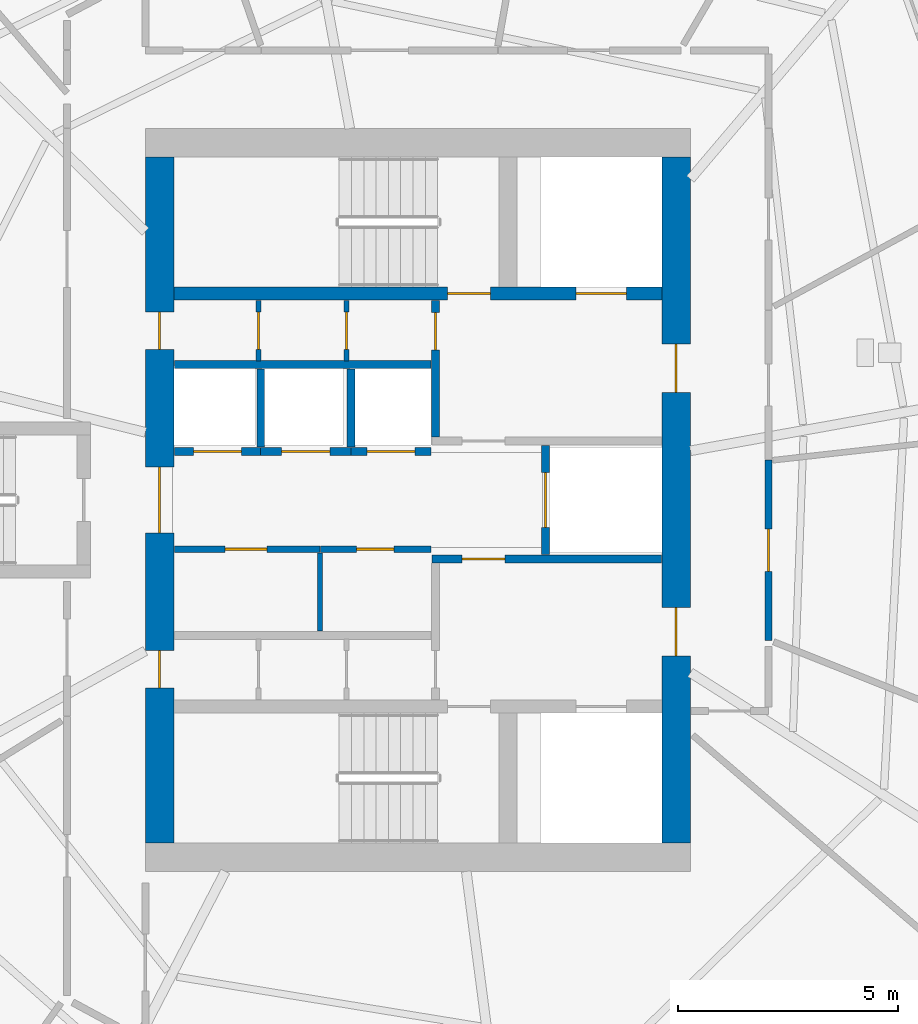
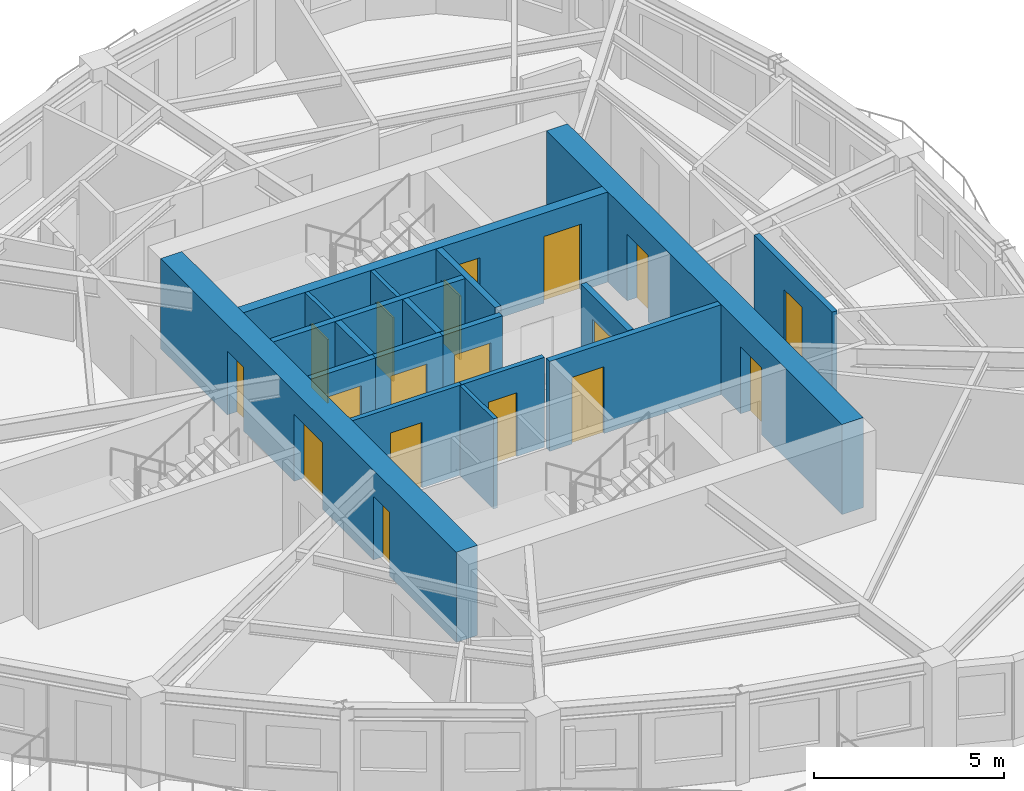
# One storey, part 5 of 12: 18 doors, 18 walls, 18 openings.
"""IFC4 building model written with IfcOpenShell, lengths in metres."""

from ifc_helpers import new_model, si_unit, direction, frame, frame_2d, origin, place, context, subcontext, project, spatial, rectangle, extrude, source, transform, mapped, material, layer, layer_set, type_object, element, fill, save


model = new_model("IFC4")

# Units and contexts
model_context = context("Model", 3, precision=1e-05, world=origin(), true_north=direction((0.0, 1.0)))
body_context = subcontext(model_context, "Body", "Model", "MODEL_VIEW")
ifc_project = project(units=[si_unit("LENGTHUNIT", "METRE"), si_unit("AREAUNIT", "SQUARE_METRE"), si_unit("VOLUMEUNIT", "CUBIC_METRE"), si_unit("PLANEANGLEUNIT", "RADIAN"), si_unit("MASSUNIT", "GRAM", prefix="KILO")], contexts=[model_context])

# Site, building, storey
site_placement = place(None, origin())
site = spatial("IfcSite", under=ifc_project, at=site_placement, CompositionType="ELEMENT")
building_placement = place(site_placement, origin())
building = spatial("IfcBuilding", under=site, at=building_placement, Name="Qafzar Sky-Pleat Residences", CompositionType="ELEMENT")
storey_placement = place(building_placement, frame((0.0, 0.0, 187.39990234375)))
storey = spatial("IfcBuildingStorey", under=building, at=storey_placement, Name="L56", CompositionType="ELEMENT", Elevation=187.39990234375)

# Wall, opening, door
ifc_material_1 = material(Name="Acoustic gypsum plasterboard partition", Category="gypsum")
ifc_layer_1 = layer(ifc_material_1, 0.159912109375)
ifc_layer_set_1 = layer_set([ifc_layer_1], Name="Acoustic gypsum plasterboard partition")
wall_type_1 = type_object("IfcWallType", Name="PART-COR-160", PredefinedType="PARTITIONING", material=ifc_layer_set_1)
wall_1_placement = place(storey_placement, frame((38.330078125, 26.908935546875, 0.0), z_axis=(0.0, 0.0, 1.0), x_axis=(0.0, -1.0, 0.0)))
wall_1 = element("IfcWall", 1, at=wall_1_placement, inside=storey, type_object=wall_type_1, Name="L56 Partition Wall PART-L56-PW-006", PredefinedType="PARTITIONING", context=body_context, shape_type="SweptSolid", body=[
    extrude(rectangle(XDim=4.10498046875, YDim=0.159912109375, at=frame_2d((2.052490234375, 0.0))), origin(), (0.0, 0.0, 1.0), 2.900146484375),
])
opening_1_placement = place(wall_1_placement, frame((1.572021484375, 0.0, 0.0)))
opening_1 = element("IfcOpeningElement", 2, at=opening_1_placement, cuts=wall_1, Name="Opening ID-06", PredefinedType="OPENING", context=body_context, shape_type="SweptSolid", body=[
    extrude(rectangle(XDim=0.9599609375, YDim=2.10009765625, at=frame_2d((0.47998046875, 1.050048828125))), frame((0.0, 0.08984375, 0.0), z_axis=(0.0, -1.0, 0.0), x_axis=(1.0, 0.0, 0.0)), (0.0, 0.0, 1.0), 0.179931640625),
])
ifc_material_2 = material(Name="Timber-faced fire door", Category="wood")
door_type_1 = type_object("IfcDoorType", Name="DR-STD-960", OperationType="NOTDEFINED", PredefinedType="DOOR", material=ifc_material_2)
shared_shape_1 = source(origin(), body_context, "Body", "SweptSolid", [
    extrude(rectangle(XDim=0.9599609375, YDim=2.10009765625, at=frame_2d((0.47998046875, 1.050048828125))), frame((0.0, 0.02490234375, 0.0), z_axis=(0.0, -1.0, 0.0), x_axis=(1.0, 0.0, 0.0)), (0.0, 0.0, 1.0), 0.050048828125),
])
door_1_placement = place(opening_1_placement, origin())
door_1 = element("IfcDoor", 3, at=door_1_placement, inside=storey, type_object=door_type_1, Name="L56 Postdoctoral Admin Office Door", OperationType="SINGLE_SWING_LEFT", OverallHeight=2.10009765625, OverallWidth=0.9599609375, PredefinedType="DOOR", context=body_context, shape_type="MappedRepresentation", body=[
    mapped(shared_shape_1, transform((0.0, 0.0, 0.0), x_axis=(1.0, 0.0, 0.0), y_axis=(0.0, 1.0, 0.0), z_axis=(0.0, 0.0, 1.0), scale=1.0)),
])
fill(opening_1, door_1)

ifc_material_3 = material(Name="Concrete blockwork partition", Category="masonry")
ifc_layer_2 = layer(ifc_material_3, 0.179931640625)
ifc_layer_set_2 = layer_set([ifc_layer_2], Name="Concrete blockwork partition")
wall_type_2 = type_object("IfcWallType", Name="PART-SHAFT-180", PredefinedType="PARTITIONING", material=ifc_layer_set_2)
wall_2_placement = place(storey_placement, frame((30.669921875, 24.659912109375, 0.0), z_axis=(0.0, 0.0, 1.0), x_axis=(1.0, 0.0, 0.0)))
wall_2 = element("IfcWall", 4, at=wall_2_placement, inside=storey, type_object=wall_type_2, Name="L56 Partition Wall PART-L56-FFL1-N", PredefinedType="PARTITIONING", context=body_context, shape_type="SweptSolid", body=[
    extrude(rectangle(XDim=5.219970703125, YDim=0.179931640625, at=frame_2d((2.60986328125, 0.0))), origin(), (0.0, 0.0, 1.0), 2.900146484375),
])
opening_2_placement = place(wall_2_placement, frame((0.679931640625, 0.0, 0.0)))
opening_2 = element("IfcOpeningElement", 5, at=opening_2_placement, cuts=wall_2, Name="Opening ID-01", PredefinedType="OPENING", context=body_context, shape_type="SweptSolid", body=[
    extrude(rectangle(XDim=0.97998046875, YDim=2.14990234375, at=frame_2d((0.489990234375, 1.074951171875))), frame((0.0, 0.10009765625, 0.0), z_axis=(0.0, -1.0, 0.0), x_axis=(1.0, 0.0, 0.0)), (0.0, 0.0, 1.0), 0.199951171875),
])
door_type_2 = type_object("IfcDoorType", Name="DR-STAIR-980", OperationType="NOTDEFINED", PredefinedType="DOOR", material=ifc_material_2)
shared_shape_2 = source(origin(), body_context, "Body", "SweptSolid", [
    extrude(rectangle(XDim=0.97998046875, YDim=2.14990234375, at=frame_2d((0.489990234375, 1.074951171875))), frame((0.0, 0.02490234375, 0.0), z_axis=(0.0, -1.0, 0.0), x_axis=(1.0, 0.0, 0.0)), (0.0, 0.0, 1.0), 0.050048828125),
])
door_2_placement = place(opening_2_placement, origin())
door_2 = element("IfcDoor", 6, at=door_2_placement, inside=storey, type_object=door_type_2, Name="L56 Lift Lobby to South Firefighting Lobby Door", OperationType="SINGLE_SWING_LEFT", OverallHeight=2.14990234375, OverallWidth=0.97998046875, PredefinedType="DOOR", context=body_context, shape_type="MappedRepresentation", body=[
    mapped(shared_shape_2, transform((0.0, 0.0, 0.0), x_axis=(1.0, 0.0, 0.0), y_axis=(0.0, 1.0, 0.0), z_axis=(0.0, 0.0, 1.0), scale=1.0)),
])
fill(opening_2, door_2)

wall_3_placement = place(storey_placement, frame((30.75, 27.429931640625, 0.0), z_axis=(0.0, 0.0, 1.0), x_axis=(0.0, 1.0, 0.0)))
wall_3 = element("IfcWall", 7, at=wall_3_placement, inside=storey, type_object=wall_type_2, Name="L56 Partition Wall PART-L56-FFL2-W", PredefinedType="PARTITIONING", context=body_context, shape_type="SweptSolid", body=[
    extrude(rectangle(XDim=3.110107421875, YDim=0.179931640625, at=frame_2d((1.55517578125, 0.0))), origin(), (0.0, 0.0, 1.0), 2.900146484375),
])
opening_3_placement = place(wall_3_placement, frame((1.97998046875, 0.0, 0.0)))
opening_3 = element("IfcOpeningElement", 8, at=opening_3_placement, cuts=wall_3, Name="Opening ID-09", PredefinedType="OPENING", context=body_context, shape_type="SweptSolid", body=[
    extrude(rectangle(XDim=0.860107421875, YDim=2.050048828125, at=frame_2d((0.43017578125, 1.02490234375))), frame((0.0, 0.10009765625, 0.0), z_axis=(0.0, -1.0, 0.0), x_axis=(1.0, 0.0, 0.0)), (0.0, 0.0, 1.0), 0.199951171875),
])
door_type_3 = type_object("IfcDoorType", Name="DR-SVC-860", OperationType="NOTDEFINED", PredefinedType="DOOR", material=ifc_material_2)
shared_shape_3 = source(origin(), body_context, "Body", "SweptSolid", [
    extrude(rectangle(XDim=0.860107421875, YDim=2.050048828125, at=frame_2d((0.43017578125, 1.02490234375))), frame((0.0, 0.02490234375, 0.0), z_axis=(0.0, -1.0, 0.0), x_axis=(1.0, 0.0, 0.0)), (0.0, 0.0, 1.0), 0.050048828125),
])
door_3_placement = place(opening_3_placement, origin())
door_3 = element("IfcDoor", 9, at=door_3_placement, inside=storey, type_object=door_type_3, Name="L56 North Core Cupboard Door", OperationType="SINGLE_SWING_RIGHT", OverallHeight=2.050048828125, OverallWidth=0.860107421875, PredefinedType="DOOR", context=body_context, shape_type="MappedRepresentation", body=[
    mapped(shared_shape_3, transform((0.0, 0.0, 0.0), x_axis=(1.0, 0.0, 0.0), y_axis=(0.0, 1.0, 0.0), z_axis=(0.0, 0.0, 1.0), scale=1.0)),
])
fill(opening_3, door_3)

wall_4_placement = place(storey_placement, frame((33.25, 24.760009765625, 0.0), z_axis=(0.0, 0.0, 1.0), x_axis=(0.0, 1.0, 0.0)))
wall_4 = element("IfcWall", 10, at=wall_4_placement, inside=storey, type_object=wall_type_2, Name="L56 Partition Wall PART-L56-SV1-W", PredefinedType="PARTITIONING", context=body_context, shape_type="SweptSolid", body=[
    extrude(rectangle(XDim=2.47998046875, YDim=0.179931640625, at=frame_2d((1.239990234375, 0.0))), origin(), (0.0, 0.0, 1.0), 2.900146484375),
])
opening_4_placement = place(wall_4_placement, frame((0.614990234375, 0.0, 0.0)))
opening_4 = element("IfcOpeningElement", 11, at=opening_4_placement, cuts=wall_4, Name="Opening LD-03", PredefinedType="OPENING", context=body_context, shape_type="SweptSolid", body=[
    extrude(rectangle(XDim=1.25, YDim=2.14990234375, at=frame_2d((0.625, 1.074951171875))), frame((0.0, 0.10009765625, 0.0), z_axis=(0.0, -1.0, 0.0), x_axis=(1.0, 0.0, 0.0)), (0.0, 0.0, 1.0), 0.199951171875),
])
ifc_material_4 = material(Name="Stainless steel sliding landing door", Category="steel")
door_type_4 = type_object("IfcDoorType", Name="DR-LIFT-SV", OperationType="DOUBLE_DOOR_SLIDING", PredefinedType="DOOR", material=ifc_material_4)
shared_shape_4 = source(origin(), body_context, "Body", "SweptSolid", [
    extrude(rectangle(XDim=1.25, YDim=2.14990234375, at=frame_2d((0.625, 1.074951171875))), frame((0.0, 0.02490234375, 0.0), z_axis=(0.0, -1.0, 0.0), x_axis=(1.0, 0.0, 0.0)), (0.0, 0.0, 1.0), 0.050048828125),
])
door_4_placement = place(opening_4_placement, origin())
door_4 = element("IfcDoor", 12, at=door_4_placement, inside=storey, type_object=door_type_4, Name="L56 Service Lift SV1 Landing Door", OperationType="DOUBLE_DOOR_SLIDING", OverallHeight=2.14990234375, OverallWidth=1.25, PredefinedType="DOOR", context=body_context, shape_type="MappedRepresentation", body=[
    mapped(shared_shape_4, transform((0.0, 0.0, 0.0), x_axis=(1.0, 0.0, 0.0), y_axis=(0.0, 1.0, 0.0), z_axis=(0.0, 0.0, 1.0), scale=1.0)),
])
fill(opening_4, door_4)

# Wall
wall_5_placement = place(storey_placement, frame((24.81005859375, 29.080078125, 0.0), z_axis=(0.0, 0.0, 1.0), x_axis=(1.0, 0.0, 0.0)))
element("IfcWall", 13, at=wall_5_placement, inside=storey, type_object=wall_type_2, Name="L56 Partition Wall PART-L56-P46-N", PredefinedType="PARTITIONING", context=body_context, shape_type="SweptSolid", body=[
    extrude(rectangle(XDim=5.83984375, YDim=0.179931640625, at=frame_2d((2.919921875, 0.0))), origin(), (0.0, 0.0, 1.0), 2.900146484375),
])

# Wall, opening, door
wall_6_placement = place(storey_placement, frame((24.81005859375, 27.10009765625, 0.0), z_axis=(0.0, 0.0, 1.0), x_axis=(1.0, 0.0, 0.0)))
wall_6 = element("IfcWall", 14, at=wall_6_placement, inside=storey, type_object=wall_type_2, Name="L56 Partition Wall PART-L56-P4-S", PredefinedType="PARTITIONING", context=body_context, shape_type="SweptSolid", body=[
    extrude(rectangle(XDim=1.96484375, YDim=0.179931640625, at=frame_2d((0.982421875, 0.0))), origin(), (0.0, 0.0, 1.0), 2.900146484375),
])
opening_5_placement = place(wall_6_placement, frame((0.4326171875, 0.0, 0.0)))
opening_5 = element("IfcOpeningElement", 15, at=opening_5_placement, cuts=wall_6, Name="Opening LD-01", PredefinedType="OPENING", context=body_context, shape_type="SweptSolid", body=[
    extrude(rectangle(XDim=1.10009765625, YDim=2.14990234375, at=frame_2d((0.550048828125, 1.074951171875))), frame((0.0, 0.10009765625, 0.0), z_axis=(0.0, -1.0, 0.0), x_axis=(1.0, 0.0, 0.0)), (0.0, 0.0, 1.0), 0.199951171875),
])
door_type_5 = type_object("IfcDoorType", Name="DR-LIFT-P", OperationType="DOUBLE_DOOR_SLIDING", PredefinedType="DOOR", material=ifc_material_4)
shared_shape_5 = source(origin(), body_context, "Body", "SweptSolid", [
    extrude(rectangle(XDim=1.10009765625, YDim=2.14990234375, at=frame_2d((0.550048828125, 1.074951171875))), frame((0.0, 0.02490234375, 0.0), z_axis=(0.0, -1.0, 0.0), x_axis=(1.0, 0.0, 0.0)), (0.0, 0.0, 1.0), 0.050048828125),
])
door_5_placement = place(opening_5_placement, origin())
door_5 = element("IfcDoor", 16, at=door_5_placement, inside=storey, type_object=door_type_5, Name="L56 Passenger Lift P4 Landing Door", OperationType="DOUBLE_DOOR_SLIDING", OverallHeight=2.14990234375, OverallWidth=1.10009765625, PredefinedType="DOOR", context=body_context, shape_type="MappedRepresentation", body=[
    mapped(shared_shape_5, transform((0.0, 0.0, 0.0), x_axis=(1.0, 0.0, 0.0), y_axis=(0.0, 1.0, 0.0), z_axis=(0.0, 0.0, 1.0), scale=1.0)),
])
fill(opening_5, door_5)

wall_7_placement = place(storey_placement, frame((26.77490234375, 27.10009765625, 0.0), z_axis=(0.0, 0.0, 1.0), x_axis=(1.0, 0.0, 0.0)))
wall_7 = element("IfcWall", 17, at=wall_7_placement, inside=storey, type_object=wall_type_2, Name="L56 Partition Wall PART-L56-P5-S", PredefinedType="PARTITIONING", context=body_context, shape_type="SweptSolid", body=[
    extrude(rectangle(XDim=2.050048828125, YDim=0.179931640625, at=frame_2d((1.02490234375, 0.0))), origin(), (0.0, 0.0, 1.0), 2.900146484375),
])
opening_6_placement = place(wall_7_placement, frame((0.47509765625, 0.0, 0.0)))
opening_6 = element("IfcOpeningElement", 18, at=opening_6_placement, cuts=wall_7, Name="Opening LD-01", PredefinedType="OPENING", context=body_context, shape_type="SweptSolid", body=[
    extrude(rectangle(XDim=1.10009765625, YDim=2.14990234375, at=frame_2d((0.550048828125, 1.074951171875))), frame((0.0, 0.10009765625, 0.0), z_axis=(0.0, -1.0, 0.0), x_axis=(1.0, 0.0, 0.0)), (0.0, 0.0, 1.0), 0.199951171875),
])
door_6_placement = place(opening_6_placement, origin())
door_6 = element("IfcDoor", 19, at=door_6_placement, inside=storey, type_object=door_type_5, Name="L56 Passenger Lift P5 Landing Door", OperationType="DOUBLE_DOOR_SLIDING", OverallHeight=2.14990234375, OverallWidth=1.10009765625, PredefinedType="DOOR", context=body_context, shape_type="MappedRepresentation", body=[
    mapped(shared_shape_5, transform((0.0, 0.0, 0.0), x_axis=(1.0, 0.0, 0.0), y_axis=(0.0, 1.0, 0.0), z_axis=(0.0, 0.0, 1.0), scale=1.0)),
])
fill(opening_6, door_6)

# Wall
wall_8_placement = place(storey_placement, frame((26.77490234375, 27.199951171875, 0.0), z_axis=(0.0, 0.0, 1.0), x_axis=(0.0, 1.0, 0.0)))
element("IfcWall", 20, at=wall_8_placement, inside=storey, type_object=wall_type_2, Name="L56 Partition Wall PART-L56-P46-DIV-1", PredefinedType="PARTITIONING", context=body_context, shape_type="SweptSolid", body=[
    extrude(rectangle(XDim=1.780029296875, YDim=0.179931640625, at=frame_2d((0.89013671875, 0.0))), origin(), (0.0, 0.0, 1.0), 2.900146484375),
])

# Wall, opening, door
wall_9_placement = place(storey_placement, frame((28.824951171875, 27.10009765625, 0.0), z_axis=(0.0, 0.0, 1.0), x_axis=(1.0, 0.0, 0.0)))
wall_9 = element("IfcWall", 21, at=wall_9_placement, inside=storey, type_object=wall_type_2, Name="L56 Partition Wall PART-L56-P6-S", PredefinedType="PARTITIONING", context=body_context, shape_type="SweptSolid", body=[
    extrude(rectangle(XDim=1.824951171875, YDim=0.179931640625, at=frame_2d((0.91259765625, 0.0))), origin(), (0.0, 0.0, 1.0), 2.900146484375),
])
opening_7_placement = place(wall_9_placement, frame((0.362548828125, 0.0, 0.0)))
opening_7 = element("IfcOpeningElement", 22, at=opening_7_placement, cuts=wall_9, Name="Opening LD-01", PredefinedType="OPENING", context=body_context, shape_type="SweptSolid", body=[
    extrude(rectangle(XDim=1.10009765625, YDim=2.14990234375, at=frame_2d((0.550048828125, 1.074951171875))), frame((0.0, 0.10009765625, 0.0), z_axis=(0.0, -1.0, 0.0), x_axis=(1.0, 0.0, 0.0)), (0.0, 0.0, 1.0), 0.199951171875),
])
door_7_placement = place(opening_7_placement, origin())
door_7 = element("IfcDoor", 23, at=door_7_placement, inside=storey, type_object=door_type_5, Name="L56 Passenger Lift P6 Landing Door", OperationType="DOUBLE_DOOR_SLIDING", OverallHeight=2.14990234375, OverallWidth=1.10009765625, PredefinedType="DOOR", context=body_context, shape_type="MappedRepresentation", body=[
    mapped(shared_shape_5, transform((0.0, 0.0, 0.0), x_axis=(1.0, 0.0, 0.0), y_axis=(0.0, 1.0, 0.0), z_axis=(0.0, 0.0, 1.0), scale=1.0)),
])
fill(opening_7, door_7)

# Walls
wall_10_placement = place(storey_placement, frame((28.824951171875, 27.199951171875, 0.0), z_axis=(0.0, 0.0, 1.0), x_axis=(0.0, 1.0, 0.0)))
element("IfcWall", 24, at=wall_10_placement, inside=storey, type_object=wall_type_2, Name="L56 Partition Wall PART-L56-P46-DIV-2", PredefinedType="PARTITIONING", context=body_context, shape_type="SweptSolid", body=[
    extrude(rectangle(XDim=1.780029296875, YDim=0.179931640625, at=frame_2d((0.89013671875, 0.0))), origin(), (0.0, 0.0, 1.0), 2.900146484375),
])
ifc_material_5 = material(Name="Gypsum plasterboard partition", Category="gypsum")
ifc_layer_3 = layer(ifc_material_5, 0.114990234375)
ifc_layer_set_3 = layer_set([ifc_layer_3], Name="Gypsum plasterboard partition")
wall_type_3 = type_object("IfcWallType", Name="PART-SVC-115", PredefinedType="PARTITIONING", material=ifc_layer_set_3)
wall_11_placement = place(storey_placement, frame((28.125, 23.02001953125, 0.0), z_axis=(0.0, 0.0, 1.0), x_axis=(0.0, 1.0, 0.0)))
element("IfcWall", 25, at=wall_11_placement, inside=storey, type_object=wall_type_3, Name="L56 Partition Wall PART-L56-RECLAIM-DIV", PredefinedType="PARTITIONING", context=body_context, shape_type="SweptSolid", body=[
    extrude(rectangle(XDim=1.77001953125, YDim=0.114990234375, at=frame_2d((0.885009765625, 0.0))), origin(), (0.0, 0.0, 1.0), 2.900146484375),
])

# Wall, opening, door
wall_12_placement = place(storey_placement, frame((26.72509765625, 29.159912109375, 0.0), z_axis=(0.0, 0.0, 1.0), x_axis=(0.0, 1.0, 0.0)))
wall_12 = element("IfcWall", 26, at=wall_12_placement, inside=storey, type_object=wall_type_3, Name="L56 Partition Wall PART-L56-KC-NW-1", PredefinedType="PARTITIONING", context=body_context, shape_type="SweptSolid", body=[
    extrude(rectangle(XDim=1.380126953125, YDim=0.114990234375, at=frame_2d((0.68994140625, 0.0))), origin(), (0.0, 0.0, 1.0), 2.900146484375),
])
opening_8_placement = place(wall_12_placement, frame((0.260009765625, 0.0, 0.0)))
opening_8 = element("IfcOpeningElement", 27, at=opening_8_placement, cuts=wall_12, Name="Opening ID-09", PredefinedType="OPENING", context=body_context, shape_type="SweptSolid", body=[
    extrude(rectangle(XDim=0.860107421875, YDim=2.050048828125, at=frame_2d((0.43017578125, 1.02490234375))), frame((0.0, 0.0673828125, 0.0), z_axis=(0.0, -1.0, 0.0), x_axis=(1.0, 0.0, 0.0)), (0.0, 0.0, 1.0), 0.135009765625),
])
door_8_placement = place(opening_8_placement, origin())
door_8 = element("IfcDoor", 28, at=door_8_placement, inside=storey, type_object=door_type_3, Name="L56 Core North Cupboard 1 Door", OperationType="SINGLE_SWING_LEFT", OverallHeight=2.050048828125, OverallWidth=0.860107421875, PredefinedType="DOOR", context=body_context, shape_type="MappedRepresentation", body=[
    mapped(shared_shape_3, transform((0.0, 0.0, 0.0), x_axis=(1.0, 0.0, 0.0), y_axis=(0.0, 1.0, 0.0), z_axis=(0.0, 0.0, 1.0), scale=1.0)),
])
fill(opening_8, door_8)

wall_13_placement = place(storey_placement, frame((28.72509765625, 29.159912109375, 0.0), z_axis=(0.0, 0.0, 1.0), x_axis=(0.0, 1.0, 0.0)))
wall_13 = element("IfcWall", 29, at=wall_13_placement, inside=storey, type_object=wall_type_3, Name="L56 Partition Wall PART-L56-KC-NW-2", PredefinedType="PARTITIONING", context=body_context, shape_type="SweptSolid", body=[
    extrude(rectangle(XDim=1.380126953125, YDim=0.114990234375, at=frame_2d((0.68994140625, 0.0))), origin(), (0.0, 0.0, 1.0), 2.900146484375),
])
opening_9_placement = place(wall_13_placement, frame((0.260009765625, 0.0, 0.0)))
opening_9 = element("IfcOpeningElement", 30, at=opening_9_placement, cuts=wall_13, Name="Opening ID-09", PredefinedType="OPENING", context=body_context, shape_type="SweptSolid", body=[
    extrude(rectangle(XDim=0.860107421875, YDim=2.050048828125, at=frame_2d((0.43017578125, 1.02490234375))), frame((0.0, 0.0673828125, 0.0), z_axis=(0.0, -1.0, 0.0), x_axis=(1.0, 0.0, 0.0)), (0.0, 0.0, 1.0), 0.135009765625),
])
door_9_placement = place(opening_9_placement, origin())
door_9 = element("IfcDoor", 31, at=door_9_placement, inside=storey, type_object=door_type_3, Name="L56 Core North Cupboard 2 Door", OperationType="SINGLE_SWING_LEFT", OverallHeight=2.050048828125, OverallWidth=0.860107421875, PredefinedType="DOOR", context=body_context, shape_type="MappedRepresentation", body=[
    mapped(shared_shape_3, transform((0.0, 0.0, 0.0), x_axis=(1.0, 0.0, 0.0), y_axis=(0.0, 1.0, 0.0), z_axis=(0.0, 0.0, 1.0), scale=1.0)),
])
fill(opening_9, door_9)

ifc_layer_4 = layer(ifc_material_1, 0.14501953125)
ifc_layer_set_4 = layer_set([ifc_layer_4], Name="Acoustic gypsum plasterboard partition")
wall_type_4 = type_object("IfcWallType", Name="PART-UNIT-145", PredefinedType="PARTITIONING", material=ifc_layer_set_4)
wall_14_placement = place(storey_placement, frame((24.81005859375, 24.8798828125, 0.0), z_axis=(0.0, 0.0, 1.0), x_axis=(1.0, 0.0, 0.0)))
wall_14 = element("IfcWall", 32, at=wall_14_placement, inside=storey, type_object=wall_type_4, Name="L56 Partition Wall PART-L56-RECLAIM-N1", PredefinedType="PARTITIONING", context=body_context, shape_type="SweptSolid", body=[
    extrude(rectangle(XDim=3.31005859375, YDim=0.14501953125, at=frame_2d((1.655029296875, 0.0))), origin(), (0.0, 0.0, 1.0), 2.900146484375),
])
opening_10_placement = place(wall_14_placement, frame((1.14990234375, 0.0, 0.0)))
opening_10 = element("IfcOpeningElement", 33, at=opening_10_placement, cuts=wall_14, Name="Opening ID-06", PredefinedType="OPENING", context=body_context, shape_type="SweptSolid", body=[
    extrude(rectangle(XDim=0.9599609375, YDim=2.10009765625, at=frame_2d((0.47998046875, 1.050048828125))), frame((0.0, 0.08251953125, 0.0), z_axis=(0.0, -1.0, 0.0), x_axis=(1.0, 0.0, 0.0)), (0.0, 0.0, 1.0), 0.1650390625),
])
door_10_placement = place(opening_10_placement, origin())
door_10 = element("IfcDoor", 34, at=door_10_placement, inside=storey, type_object=door_type_1, Name="L56 Reclaimed Quiet Study Room Door", OperationType="SINGLE_SWING_RIGHT", OverallHeight=2.10009765625, OverallWidth=0.9599609375, PredefinedType="DOOR", context=body_context, shape_type="MappedRepresentation", body=[
    mapped(shared_shape_1, transform((0.0, 0.0, 0.0), x_axis=(1.0, 0.0, 0.0), y_axis=(0.0, 1.0, 0.0), z_axis=(0.0, 0.0, 1.0), scale=1.0)),
])
fill(opening_10, door_10)

wall_15_placement = place(storey_placement, frame((28.1298828125, 24.8798828125, 0.0), z_axis=(0.0, 0.0, 1.0), x_axis=(1.0, 0.0, 0.0)))
wall_15 = element("IfcWall", 35, at=wall_15_placement, inside=storey, type_object=wall_type_4, Name="L56 Partition Wall PART-L56-RECLAIM-N2", PredefinedType="PARTITIONING", context=body_context, shape_type="SweptSolid", body=[
    extrude(rectangle(XDim=2.52001953125, YDim=0.14501953125, at=frame_2d((1.260009765625, 0.0))), origin(), (0.0, 0.0, 1.0), 2.900146484375),
])
opening_11_placement = place(wall_15_placement, frame((0.820068359375, 0.0, 0.0)))
opening_11 = element("IfcOpeningElement", 36, at=opening_11_placement, cuts=wall_15, Name="Opening ID-09", PredefinedType="OPENING", context=body_context, shape_type="SweptSolid", body=[
    extrude(rectangle(XDim=0.860107421875, YDim=2.050048828125, at=frame_2d((0.43017578125, 1.02490234375))), frame((0.0, 0.08251953125, 0.0), z_axis=(0.0, -1.0, 0.0), x_axis=(1.0, 0.0, 0.0)), (0.0, 0.0, 1.0), 0.1650390625),
])
door_11_placement = place(opening_11_placement, origin())
door_11 = element("IfcDoor", 37, at=door_11_placement, inside=storey, type_object=door_type_3, Name="L56 Reclaimed Linen Cupboard Door", OperationType="SINGLE_SWING_LEFT", OverallHeight=2.050048828125, OverallWidth=0.860107421875, PredefinedType="DOOR", context=body_context, shape_type="MappedRepresentation", body=[
    mapped(shared_shape_3, transform((0.0, 0.0, 0.0), x_axis=(1.0, 0.0, 0.0), y_axis=(0.0, 1.0, 0.0), z_axis=(0.0, 0.0, 1.0), scale=1.0)),
])
fill(opening_11, door_11)

# Wall, openings, doors
ifc_material_6 = material(Name="Concrete C60/75", Category="concrete")
ifc_layer_5 = layer(ifc_material_6, 0.300048828125)
ifc_layer_set_5 = layer_set([ifc_layer_5], Name="Concrete C60/75")
wall_type_5 = type_object("IfcWallType", Name="WALL-SHEAR-300", PredefinedType="SHEAR", material=ifc_layer_set_5)
wall_16_placement = place(storey_placement, frame((24.800048828125, 30.699951171875, 0.0), z_axis=(0.0, 0.0, 1.0), x_axis=(1.0, 0.0, 0.0)))
wall_16 = element("IfcWall", 38, at=wall_16_placement, inside=storey, type_object=wall_type_5, Name="L56 Stair ST2 and FF2 Shaft South Wall", PredefinedType="SHEAR", context=body_context, shape_type="SweptSolid", body=[
    extrude(rectangle(XDim=11.099853515625, YDim=0.300048828125, at=frame_2d((5.5498046875, 0.0))), origin(), (0.0, 0.0, 1.0), 2.900146484375),
])
opening_12_placement = place(wall_16_placement, frame((6.219970703125, 0.0, 0.0)))
opening_12 = element("IfcOpeningElement", 39, at=opening_12_placement, cuts=wall_16, Name="Opening ID-01", PredefinedType="OPENING", context=body_context, shape_type="SweptSolid", body=[
    extrude(rectangle(XDim=0.97998046875, YDim=2.14990234375, at=frame_2d((0.489990234375, 1.074951171875))), frame((0.0, 0.16015625, 0.0), z_axis=(0.0, -1.0, 0.0), x_axis=(1.0, 0.0, 0.0)), (0.0, 0.0, 1.0), 0.320068359375),
])
opening_13_placement = place(wall_16_placement, frame((9.14990234375, 0.0, 0.0)))
opening_13 = element("IfcOpeningElement", 40, at=opening_13_placement, cuts=wall_16, Name="Opening LD-02", PredefinedType="OPENING", context=body_context, shape_type="SweptSolid", body=[
    extrude(rectangle(XDim=1.14990234375, YDim=2.14990234375, at=frame_2d((0.574951171875, 1.074951171875))), frame((0.0, 0.16015625, 0.0), z_axis=(0.0, -1.0, 0.0), x_axis=(1.0, 0.0, 0.0)), (0.0, 0.0, 1.0), 0.320068359375),
])
door_12_placement = place(opening_12_placement, origin())
door_12 = element("IfcDoor", 41, at=door_12_placement, inside=storey, type_object=door_type_2, Name="L56 Stair ST2 Fire Door", OperationType="SINGLE_SWING_RIGHT", OverallHeight=2.14990234375, OverallWidth=0.97998046875, PredefinedType="DOOR", context=body_context, shape_type="MappedRepresentation", body=[
    mapped(shared_shape_2, transform((0.0, 0.0, 0.0), x_axis=(1.0, 0.0, 0.0), y_axis=(0.0, 1.0, 0.0), z_axis=(0.0, 0.0, 1.0), scale=1.0)),
])
fill(opening_12, door_12)
door_type_6 = type_object("IfcDoorType", Name="DR-LIFT-FF", OperationType="DOUBLE_DOOR_SLIDING", PredefinedType="DOOR", material=ifc_material_4)
shared_shape_6 = source(origin(), body_context, "Body", "SweptSolid", [
    extrude(rectangle(XDim=1.14990234375, YDim=2.14990234375, at=frame_2d((0.574951171875, 1.074951171875))), frame((0.0, 0.02490234375, 0.0), z_axis=(0.0, -1.0, 0.0), x_axis=(1.0, 0.0, 0.0)), (0.0, 0.0, 1.0), 0.050048828125),
])
door_13_placement = place(opening_13_placement, origin())
door_13 = element("IfcDoor", 42, at=door_13_placement, inside=storey, type_object=door_type_6, Name="L56 Firefighting Lift FF2 Landing Door", OperationType="DOUBLE_DOOR_SLIDING", OverallHeight=2.14990234375, OverallWidth=1.14990234375, PredefinedType="DOOR", context=body_context, shape_type="MappedRepresentation", body=[
    mapped(shared_shape_6, transform((0.0, 0.0, 0.0), x_axis=(1.0, 0.0, 0.0), y_axis=(0.0, 1.0, 0.0), z_axis=(0.0, 0.0, 1.0), scale=1.0)),
])
fill(opening_13, door_13)

ifc_layer_6 = layer(ifc_material_6, 0.64990234375)
ifc_layer_set_6 = layer_set([ifc_layer_6], Name="Concrete C60/75")
wall_type_6 = type_object("IfcWallType", Name="WALL-SHEAR-650", PredefinedType="SHEAR", material=ifc_layer_set_6)
wall_17_placement = place(storey_placement, frame((24.47509765625, 33.800048828125, 0.0), z_axis=(0.0, 0.0, 1.0), x_axis=(0.0, -1.0, 0.0)))
wall_17 = element("IfcWall", 43, at=wall_17_placement, inside=storey, type_object=wall_type_6, Name="L56 CORE wall W", PredefinedType="SHEAR", context=body_context, shape_type="SweptSolid", body=[
    extrude(rectangle(XDim=15.60009765625, YDim=0.64990234375, at=frame_2d((7.800048828125, 0.0))), origin(), (0.0, 0.0, 1.0), 2.900146484375),
])
opening_14_placement = place(wall_17_placement, frame((7.050048828125, 0.0, 0.0)))
opening_14 = element("IfcOpeningElement", 44, at=opening_14_placement, cuts=wall_17, Name="Opening ID-03", PredefinedType="OPENING", context=body_context, shape_type="SweptSolid", body=[
    extrude(rectangle(XDim=1.5, YDim=2.14990234375, at=frame_2d((0.75, 1.074951171875))), frame((0.0, 0.3349609375, 0.0), z_axis=(0.0, -1.0, 0.0), x_axis=(1.0, 0.0, 0.0)), (0.0, 0.0, 1.0), 0.669921875),
])
opening_15_placement = place(wall_17_placement, frame((3.52001953125, 0.0, 0.0)))
opening_15 = element("IfcOpeningElement", 45, at=opening_15_placement, cuts=wall_17, Name="Opening ID-09", PredefinedType="OPENING", context=body_context, shape_type="SweptSolid", body=[
    extrude(rectangle(XDim=0.860107421875, YDim=2.050048828125, at=frame_2d((0.43017578125, 1.02490234375))), frame((0.0, 0.3349609375, 0.0), z_axis=(0.0, -1.0, 0.0), x_axis=(1.0, 0.0, 0.0)), (0.0, 0.0, 1.0), 0.669921875),
])
opening_16_placement = place(wall_17_placement, frame((11.219970703125, 0.0, 0.0)))
opening_16 = element("IfcOpeningElement", 46, at=opening_16_placement, cuts=wall_17, Name="Opening ID-09", PredefinedType="OPENING", context=body_context, shape_type="SweptSolid", body=[
    extrude(rectangle(XDim=0.860107421875, YDim=2.050048828125, at=frame_2d((0.43017578125, 1.02490234375))), frame((0.0, 0.3349609375, 0.0), z_axis=(0.0, -1.0, 0.0), x_axis=(1.0, 0.0, 0.0)), (0.0, 0.0, 1.0), 0.669921875),
])
door_type_7 = type_object("IfcDoorType", Name="DR-COR-1500", OperationType="DOUBLE_DOOR_SINGLE_SWING", PredefinedType="DOOR", material=ifc_material_2)
shared_shape_7 = source(origin(), body_context, "Body", "SweptSolid", [
    extrude(rectangle(XDim=1.5, YDim=2.14990234375, at=frame_2d((0.75, 1.074951171875))), frame((0.0, 0.02490234375, 0.0), z_axis=(0.0, -1.0, 0.0), x_axis=(1.0, 0.0, 0.0)), (0.0, 0.0, 1.0), 0.050048828125),
])
door_14_placement = place(opening_14_placement, origin())
door_14 = element("IfcDoor", 47, at=door_14_placement, inside=storey, type_object=door_type_7, Name="L56 Lift Lobby West Double Door", OperationType="DOUBLE_DOOR_SINGLE_SWING", OverallHeight=2.14990234375, OverallWidth=1.5, PredefinedType="DOOR", context=body_context, shape_type="MappedRepresentation", body=[
    mapped(shared_shape_7, transform((0.0, 0.0, 0.0), x_axis=(1.0, 0.0, 0.0), y_axis=(0.0, 1.0, 0.0), z_axis=(0.0, 0.0, 1.0), scale=1.0)),
])
fill(opening_14, door_14)
door_15_placement = place(opening_15_placement, origin())
door_15 = element("IfcDoor", 48, at=door_15_placement, inside=storey, type_object=door_type_3, Name="L56 Core North-West Service Door", OperationType="SINGLE_SWING_RIGHT", OverallHeight=2.050048828125, OverallWidth=0.860107421875, PredefinedType="DOOR", context=body_context, shape_type="MappedRepresentation", body=[
    mapped(shared_shape_3, transform((0.0, 0.0, 0.0), x_axis=(1.0, 0.0, 0.0), y_axis=(0.0, 1.0, 0.0), z_axis=(0.0, 0.0, 1.0), scale=1.0)),
])
fill(opening_15, door_15)
door_16_placement = place(opening_16_placement, origin())
door_16 = element("IfcDoor", 49, at=door_16_placement, inside=storey, type_object=door_type_3, Name="L56 Core South-West Service Door", OperationType="SINGLE_SWING_LEFT", OverallHeight=2.050048828125, OverallWidth=0.860107421875, PredefinedType="DOOR", context=body_context, shape_type="MappedRepresentation", body=[
    mapped(shared_shape_3, transform((0.0, 0.0, 0.0), x_axis=(1.0, 0.0, 0.0), y_axis=(0.0, 1.0, 0.0), z_axis=(0.0, 0.0, 1.0), scale=1.0)),
])
fill(opening_16, door_16)

wall_18_placement = place(storey_placement, frame((36.22509765625, 18.199951171875, 0.0), z_axis=(0.0, 0.0, 1.0), x_axis=(0.0, 1.0, 0.0)))
wall_18 = element("IfcWall", 50, at=wall_18_placement, inside=storey, type_object=wall_type_6, Name="L56 CORE wall E", PredefinedType="SHEAR", context=body_context, shape_type="SweptSolid", body=[
    extrude(rectangle(XDim=15.60009765625, YDim=0.64990234375, at=frame_2d((7.800048828125, 0.0))), origin(), (0.0, 0.0, 1.0), 2.900146484375),
])
opening_17_placement = place(wall_18_placement, frame((4.25, 0.0, 0.0)))
opening_17 = element("IfcOpeningElement", 51, at=opening_17_placement, cuts=wall_18, Name="Opening ID-02", PredefinedType="OPENING", context=body_context, shape_type="SweptSolid", body=[
    extrude(rectangle(XDim=1.10009765625, YDim=2.14990234375, at=frame_2d((0.550048828125, 1.074951171875))), frame((0.0, 0.3349609375, 0.0), z_axis=(0.0, -1.0, 0.0), x_axis=(1.0, 0.0, 0.0)), (0.0, 0.0, 1.0), 0.669921875),
])
opening_18_placement = place(wall_18_placement, frame((10.25, 0.0, 0.0)))
opening_18 = element("IfcOpeningElement", 52, at=opening_18_placement, cuts=wall_18, Name="Opening ID-02", PredefinedType="OPENING", context=body_context, shape_type="SweptSolid", body=[
    extrude(rectangle(XDim=1.10009765625, YDim=2.14990234375, at=frame_2d((0.550048828125, 1.074951171875))), frame((0.0, 0.3349609375, 0.0), z_axis=(0.0, -1.0, 0.0), x_axis=(1.0, 0.0, 0.0)), (0.0, 0.0, 1.0), 0.669921875),
])
door_type_8 = type_object("IfcDoorType", Name="DR-FFL-1100", OperationType="NOTDEFINED", PredefinedType="DOOR", material=ifc_material_2)
door_17_placement = place(opening_17_placement, origin())
door_17 = element("IfcDoor", 53, at=door_17_placement, inside=storey, type_object=door_type_8, Name="L56 Firefighting Lobby South Corridor Door", OperationType="SINGLE_SWING_RIGHT", OverallHeight=2.14990234375, OverallWidth=1.10009765625, PredefinedType="DOOR", context=body_context, shape_type="MappedRepresentation", body=[
    mapped(shared_shape_5, transform((0.0, 0.0, 0.0), x_axis=(1.0, 0.0, 0.0), y_axis=(0.0, 1.0, 0.0), z_axis=(0.0, 0.0, 1.0), scale=1.0)),
])
fill(opening_17, door_17)
door_18_placement = place(opening_18_placement, origin())
door_18 = element("IfcDoor", 54, at=door_18_placement, inside=storey, type_object=door_type_8, Name="L56 Firefighting Lobby North Corridor Door", OperationType="SINGLE_SWING_LEFT", OverallHeight=2.14990234375, OverallWidth=1.10009765625, PredefinedType="DOOR", context=body_context, shape_type="MappedRepresentation", body=[
    mapped(shared_shape_5, transform((0.0, 0.0, 0.0), x_axis=(1.0, 0.0, 0.0), y_axis=(0.0, 1.0, 0.0), z_axis=(0.0, 0.0, 1.0), scale=1.0)),
])
fill(opening_18, door_18)

save(model, "model.ifc")
